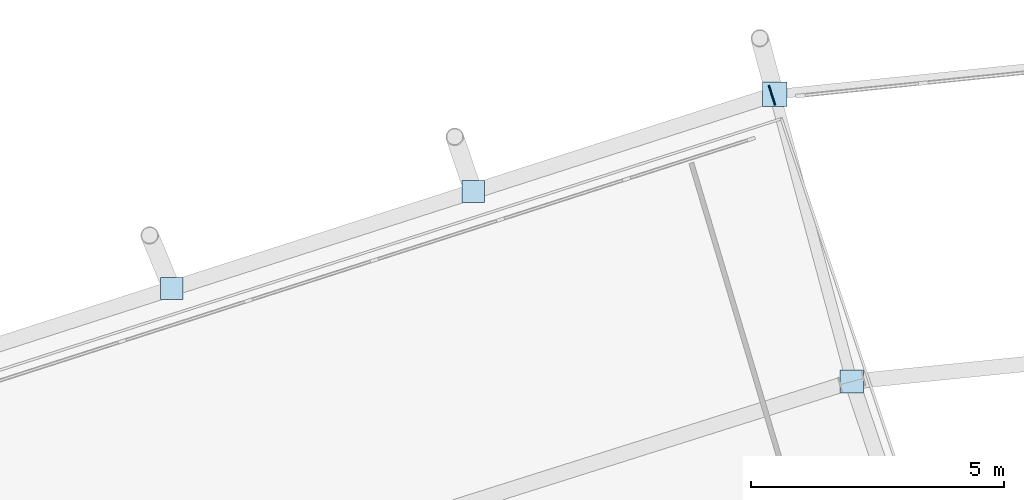
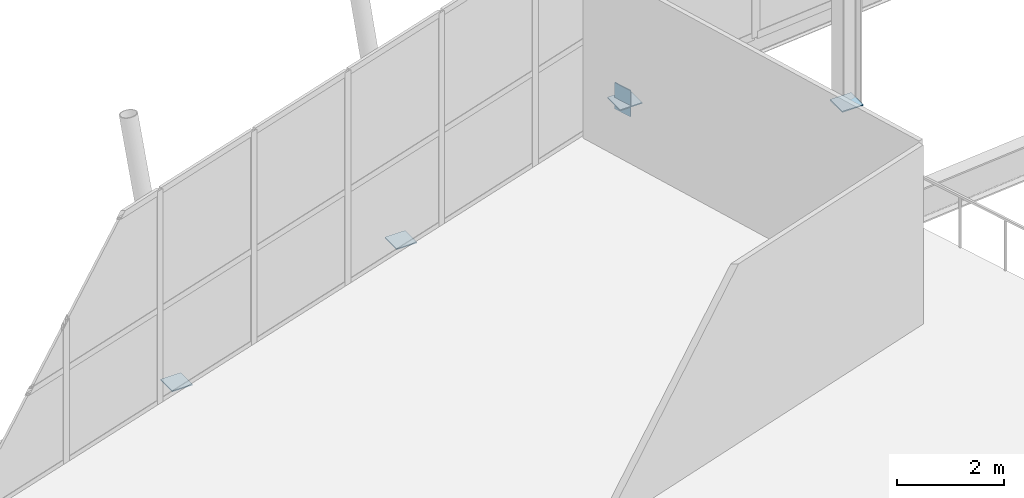
# One storey, part 78 of 99: 5 plates.
"""IFC4 building model written with IfcOpenShell, lengths in metres."""

from ifc_helpers import new_model, si_unit, direction, frame, origin, origin_2d, place, context, subcontext, project, spatial, rectangle, extrude, material, layer, layer_set, type_object, element, save


model = new_model("IFC4")

# Units and contexts
model_context = context("Model", 3, precision=1e-05, world=origin(), true_north=direction((0.0, 1.0)))
body_context = subcontext(model_context, "Body", "Model", "MODEL_VIEW")
ifc_project = project(units=[si_unit("LENGTHUNIT", "METRE"), si_unit("AREAUNIT", "SQUARE_METRE"), si_unit("VOLUMEUNIT", "CUBIC_METRE"), si_unit("PLANEANGLEUNIT", "RADIAN"), si_unit("MASSUNIT", "GRAM", prefix="KILO")], contexts=[model_context])

# Site, building, storey
site_placement = place(None, origin())
site = spatial("IfcSite", under=ifc_project, at=site_placement, CompositionType="ELEMENT")
building_placement = place(site_placement, origin())
building = spatial("IfcBuilding", under=site, at=building_placement, Name="Zlatoyarsky Gate Stadium", CompositionType="ELEMENT")
storey_placement = place(building_placement, frame((0.0, 0.0, 26.199951171875)))
storey = spatial("IfcBuildingStorey", under=building, at=storey_placement, Name="L05", CompositionType="ELEMENT", Elevation=26.199951171875)

# Plates
ifc_material = material(Name="Steel S355", Category="steel")
ifc_layer = layer(ifc_material, 0.02392578125)
ifc_layer_set = layer_set([ifc_layer], Name="Steel S355")
plate_type = type_object("IfcPlateType", Name="STEEL HOLLOW CHORD SPLICE SHEET 24", PredefinedType="SHEET", material=ifc_layer_set)
plate_1_placement = place(storey_placement, frame((85.351318359375, 154.239990234375, -0.81005859375), z_axis=(0.0, 0.0, 1.0), x_axis=(-0.951855938827, -0.306545709021, 0.0)))
element("IfcPlate", 1, at=plate_1_placement, inside=storey, type_object=plate_type, Name="Hollow end cap ND-SP1 CAP-L05-SPD-07 A", PredefinedType="SHEET", context=body_context, shape_type="SweptSolid", body=[
    extrude(rectangle(XDim=0.02392578125, YDim=0.39990234375, at=origin_2d()), origin(), (0.0, 0.0, 1.0), 0.60009765625),
])
plate_2_placement = place(storey_placement, frame((85.408447265625, 154.258544921875, -0.572021484375), z_axis=(0.0, 0.0, 1.0), x_axis=(1.0, 0.0, 0.0)))
element("IfcPlate", 2, at=plate_2_placement, inside=storey, type_object=plate_type, Name="Node closure plate ND-SP1 NCAP-L05-RSTR-07", PredefinedType="SHEET", context=body_context, shape_type="SweptSolid", body=[
    extrude(rectangle(XDim=0.47998046875, YDim=0.47998046875, at=origin_2d()), origin(), (0.0, 0.0, 1.0), 0.02392578125),
])
for number, where, z_axis, x_axis, name in (
    (3, (79.446533203125, 152.33837890625, -0.52197265625), (0.0, 0.0, 1.0), (1.0, 0.0, 0.0), "Node closure plate ND-SP1 NCAP-RIB-07-1-3T"),
    (4, (73.48486328125, 150.41845703125, -0.52197265625), (0.0, 0.0, 1.0), (1.0, 0.0, 0.0), "Node closure plate ND-SP1 NCAP-RIB-07-2-3T"),
):
    element("IfcPlate", number, at=place(storey_placement, frame(where, z_axis=z_axis, x_axis=x_axis)), inside=storey, type_object=plate_type, Name=name, PredefinedType="SHEET", context=body_context, shape_type="SweptSolid", body=[
        extrude(rectangle(XDim=0.43994140625, YDim=0.43994140625, at=origin_2d()), origin(), (0.0, 0.0, 1.0), 0.02392578125),
    ])
plate_3_placement = place(storey_placement, frame((86.9296875, 148.580810546875, 2.2880859375), z_axis=(0.0, 0.0, 1.0), x_axis=(1.0, 0.0, 0.0)))
element("IfcPlate", 5, at=plate_3_placement, inside=storey, type_object=plate_type, Name="Node closure plate ND-SP1 NCAP-BPROP-07", PredefinedType="SHEET", context=body_context, shape_type="SweptSolid", body=[
    extrude(rectangle(XDim=0.4599609375, YDim=0.4599609375, at=origin_2d()), origin(), (0.0, 0.0, 1.0), 0.02392578125),
])

save(model, "model.ifc")
